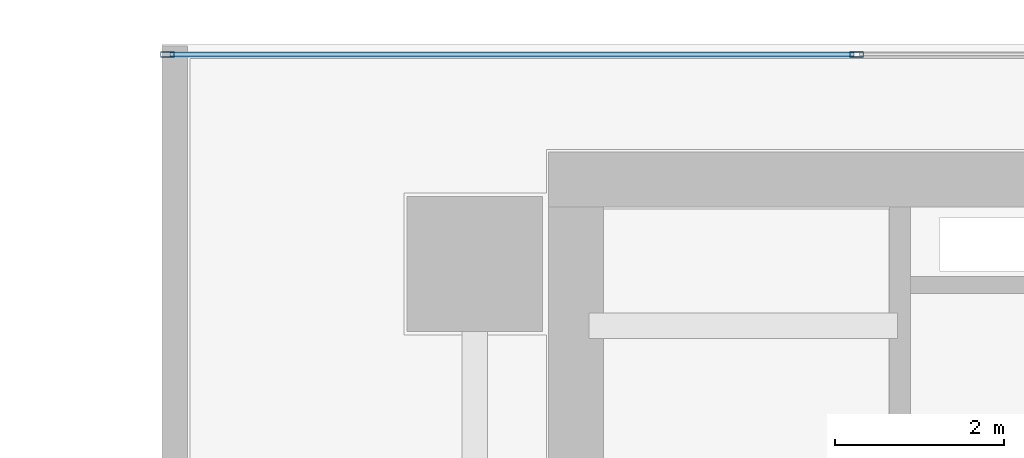
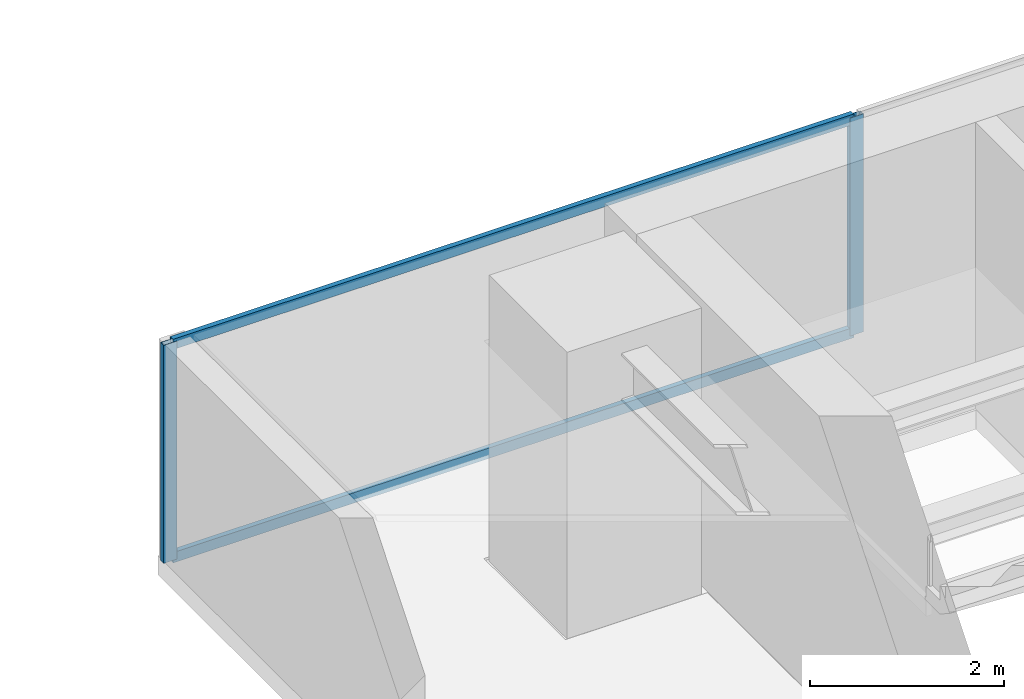
# One storey, part 20 of 36: 4 members, 1 element without a shape of its own.
"""IFC4 building model written with IfcOpenShell, lengths in metres."""

from ifc_helpers import new_model, si_unit, direction, frame, origin, origin_2d, place, context, subcontext, project, spatial, hollow_rectangle, extrude, source, transform, mapped, material, layer, layer_set, material_profile, profile_set, type_object, element, aggregate, save


model = new_model("IFC4")

# Units and contexts
model_context = context("Model", 3, precision=1e-05, world=origin(), true_north=direction((0.0, 1.0)))
body_context = subcontext(model_context, "Body", "Model", "MODEL_VIEW")
ifc_project = project(units=[si_unit("LENGTHUNIT", "METRE"), si_unit("AREAUNIT", "SQUARE_METRE"), si_unit("VOLUMEUNIT", "CUBIC_METRE"), si_unit("PLANEANGLEUNIT", "RADIAN"), si_unit("MASSUNIT", "GRAM", prefix="KILO")], contexts=[model_context])

# Site, building, storey
site_placement = place(None, origin())
site = spatial("IfcSite", under=ifc_project, at=site_placement, CompositionType="ELEMENT")
building_placement = place(site_placement, origin())
building = spatial("IfcBuilding", under=site, at=building_placement, Name="Sumidabori Civic Tower", CompositionType="ELEMENT")
storey_placement = place(building_placement, frame((0.0, 0.0, 84.800048828125)))
storey = spatial("IfcBuildingStorey", under=building, at=storey_placement, Name="L21", CompositionType="ELEMENT", Elevation=84.800048828125)

# Curtain wall, members
ifc_material = material(Name="Anodised Bronze Aluminium AW-6063-T6", Category="aluminium")
ifc_layer = layer(ifc_material, 0.179931640625, Name="Anodised Bronze Aluminium AW-6063-T6")
ifc_layer_set = layer_set([ifc_layer], Name="Anodised Bronze Aluminium AW-6063-T6")
curtain_wall_type = type_object("IfcCurtainWallType", Name="CW-SYS-3", PredefinedType="NOTDEFINED", material=ifc_layer_set)
curtain_wall_placement = place(storey_placement, origin())
curtain_wall = element("IfcCurtainWall", 1, at=curtain_wall_placement, inside=storey, type_object=curtain_wall_type, Name="Curtain Wall CW:L21:R07", PredefinedType="NOTDEFINED")
ifc_material_profile_1 = material_profile(ifc_material, hollow_rectangle(XDim=0.06494140625, YDim=0.159912109375, WallThickness=0.0048828125, at=origin_2d()), Name="ALU MULLION 160x65")
ifc_profile_set_1 = profile_set([ifc_material_profile_1], Name="Anodised Bronze Aluminium AW-6063-T6")
member_type_1 = type_object("IfcMemberType", Name="CW-MUL-160", PredefinedType="MULLION", material=ifc_profile_set_1)
shared_shape_1 = source(origin(), body_context, "Body", "SweptSolid", [
    extrude(hollow_rectangle(XDim=0.06494140625, YDim=0.159912109375, WallThickness=0.0048828125, at=origin_2d()), origin(), (0.0, 0.0, 1.0), 2.739990234375),
])
member_1_placement = place(storey_placement, frame((-12.281982421875, 25.280029296875, 0.0), z_axis=(0.0, 0.0, 1.0), x_axis=(0.0, -1.0, 0.0)))
member_1 = element("IfcMember", 2, at=member_1_placement, type_object=member_type_1, Name="CW-3 mullion 5", PredefinedType="MULLION", context=body_context, shape_type="MappedRepresentation", body=[
    mapped(shared_shape_1, transform((0.0, 0.0, 0.0), x_axis=(1.0, 0.0, 0.0), y_axis=(0.0, 1.0, 0.0), z_axis=(0.0, 0.0, 1.0), scale=1.0)),
])
member_2_placement = place(storey_placement, frame((-20.4375, 25.280029296875, 0.0), z_axis=(0.0, 0.0, 1.0), x_axis=(0.0, -1.0, 0.0)))
member_2 = element("IfcMember", 3, at=member_2_placement, type_object=member_type_1, Name="CW-3 mullion 6", PredefinedType="MULLION", context=body_context, shape_type="MappedRepresentation", body=[
    mapped(shared_shape_1, transform((0.0, 0.0, 0.0), x_axis=(1.0, 0.0, 0.0), y_axis=(0.0, 1.0, 0.0), z_axis=(0.0, 0.0, 1.0), scale=1.0)),
])
ifc_material_profile_2 = material_profile(ifc_material, hollow_rectangle(XDim=0.06005859375, YDim=0.1298828125, WallThickness=0.0048828125, at=origin_2d()), Name="ALU TRANSOM 130x60")
ifc_profile_set_2 = profile_set([ifc_material_profile_2], Name="Anodised Bronze Aluminium AW-6063-T6")
member_type_2 = type_object("IfcMemberType", Name="CW-TRN-130", PredefinedType="USERDEFINED", material=ifc_profile_set_2)
shared_shape_2 = source(origin(), body_context, "Body", "SweptSolid", [
    extrude(hollow_rectangle(XDim=0.06005859375, YDim=0.1298828125, WallThickness=0.0048828125, at=origin_2d()), origin(), (0.0, 0.0, 1.0), 8.090576171875),
])
member_3_placement = place(storey_placement, frame((-12.314453125, 25.280029296875, 0.030029296875), z_axis=(-1.0, 0.0, 0.0), x_axis=(0.0, -1.0, 0.0)))
member_3 = element("IfcMember", 4, at=member_3_placement, type_object=member_type_2, Name="CW-3 transom 5.1", ObjectType="TRANSOM", PredefinedType="USERDEFINED", context=body_context, shape_type="MappedRepresentation", body=[
    mapped(shared_shape_2, transform((0.0, 0.0, 0.0), x_axis=(1.0, 0.0, 0.0), y_axis=(0.0, 1.0, 0.0), z_axis=(0.0, 0.0, 1.0), scale=1.0)),
])
member_4_placement = place(storey_placement, frame((-12.314453125, 25.280029296875, 2.7099609375), z_axis=(-1.0, 0.0, 0.0), x_axis=(0.0, -1.0, 0.0)))
member_4 = element("IfcMember", 5, at=member_4_placement, type_object=member_type_2, Name="CW-3 transom 5.2", ObjectType="TRANSOM", PredefinedType="USERDEFINED", context=body_context, shape_type="MappedRepresentation", body=[
    mapped(shared_shape_2, transform((0.0, 0.0, 0.0), x_axis=(1.0, 0.0, 0.0), y_axis=(0.0, 1.0, 0.0), z_axis=(0.0, 0.0, 1.0), scale=1.0)),
])
aggregate(curtain_wall, [member_1, member_2, member_3, member_4])

save(model, "model.ifc")
